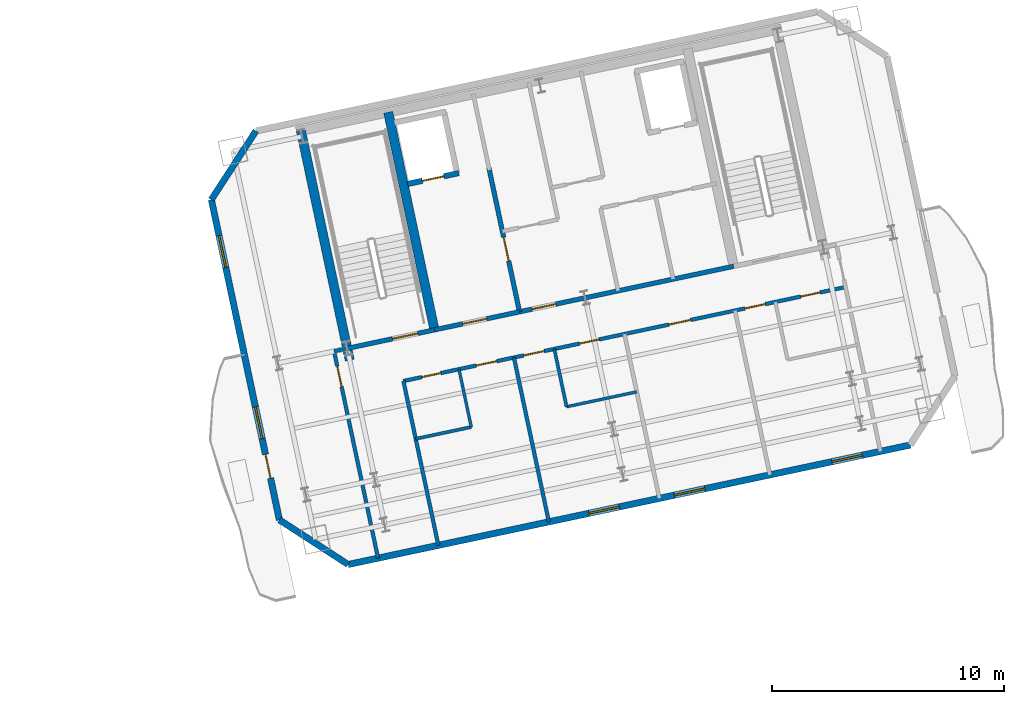
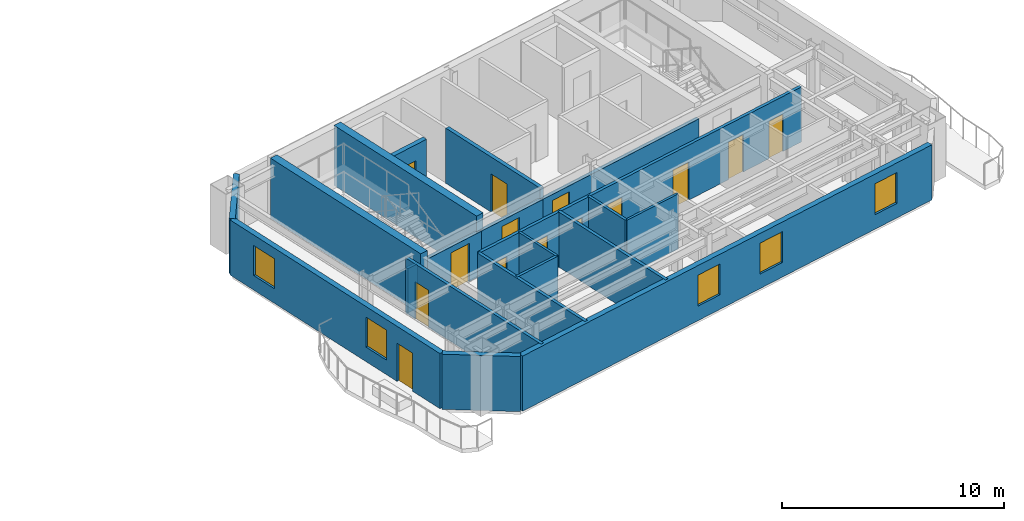
# One storey, part 8 of 14: 20 walls, 14 doors, 5 windows, 19 openings.
"""IFC4 building model written with IfcOpenShell, lengths in metres."""

import ifcopenshell
import ifcopenshell.guid

model = None  # the IFC model being written
_history = None  # IfcOwnerHistory: only IFC2X3 demands one
_inside = {}  # id of a spatial element -> (the spatial element, [elements in it])
_under = {}  # id of a project, library or spatial element -> (it, [spatial elements below it])
_declared = {}  # id of a project -> (the project, [libraries it declares])
_typed = {}  # id of a type object -> (the type object, [elements of that type])
_made_of = {}  # id of a material, layer set ... -> (it, [elements and type objects made of it])


def new_model(schema):
    """Start an empty IFC model of exactly this schema.

    Asked for "IFC4X3", IfcOpenShell would pick the latest addendum, in which some entities
    have other attributes; the version numbers below select the first issue.
    IFC2X3 requires an IfcOwnerHistory on every rooted entity: one is made here for all.
    """
    global model, _history
    if schema == "IFC4X3":
        model = ifcopenshell.file(schema_version=(4, 3, 0, 0))
    else:
        model = ifcopenshell.file(schema=schema)
    _inside.clear()
    _under.clear()
    _declared.clear()
    _typed.clear()
    _made_of.clear()
    _history = None
    if model.schema == "IFC2X3":
        org = make("IfcOrganization", Name="unknown")
        user = make(
            "IfcPersonAndOrganization",
            ThePerson=make("IfcPerson", FamilyName="unknown"),
            TheOrganization=org,
        )
        app = make(
            "IfcApplication",
            ApplicationDeveloper=org,
            Version="unknown",
            ApplicationFullName="unknown",
            ApplicationIdentifier="unknown",
        )
        _history = make(
            "IfcOwnerHistory",
            OwningUser=user,
            OwningApplication=app,
            ChangeAction="ADDED",
            CreationDate=0,
        )
    return model


def make(cls, **values):
    """One entity of the class cls with the attributes given. An attribute that is None is left unset."""
    return model.create_entity(
        cls, **{name: value for name, value in values.items() if value is not None}
    )


def rooted(cls, **values):
    """An entity with a GlobalId (a new one), such as an element, a storey or a relation."""
    return make(cls, GlobalId=ifcopenshell.guid.new(), OwnerHistory=_history, **values)


def si_unit(unit_type, name, prefix=None):
    """IfcSIUnit, for example si_unit("LENGTHUNIT", "METRE", prefix="MILLI")."""
    return make("IfcSIUnit", UnitType=unit_type, Prefix=prefix, Name=name)


def assignment(units):
    """IfcUnitAssignment: the units of a project."""
    return None if units is None else make("IfcUnitAssignment", Units=units)


def point(xyz):
    """IfcCartesianPoint."""
    return None if xyz is None else make("IfcCartesianPoint", Coordinates=xyz)


def direction(xyz):
    """IfcDirection."""
    return None if xyz is None else make("IfcDirection", DirectionRatios=xyz)


def frame(location, z_axis=None, x_axis=None):
    """IfcAxis2Placement3D, a coordinate frame: its origin and axes. An axis left out is left unset."""
    return make(
        "IfcAxis2Placement3D",
        Location=point(location),
        Axis=direction(z_axis),
        RefDirection=direction(x_axis),
    )


def frame_2d(location, x_axis=None):
    """IfcAxis2Placement2D, a coordinate frame in the plane: its origin and x axis."""
    return make(
        "IfcAxis2Placement2D", Location=point(location), RefDirection=direction(x_axis)
    )


def origin():
    """The frame at (0, 0, 0) with its axes left unset."""
    return frame((0.0, 0.0, 0.0))


def place(relative_to, where):
    """IfcLocalPlacement: puts the frame where relative to a parent placement (None: the world)."""
    return make(
        "IfcLocalPlacement", PlacementRelTo=relative_to, RelativePlacement=where
    )


def context(
    kind, dimensions, precision=None, world=None, true_north=None, identifier=None
):
    """IfcGeometricRepresentationContext, for example the 3D "Model" context."""
    return make(
        "IfcGeometricRepresentationContext",
        ContextIdentifier=identifier,
        ContextType=kind,
        CoordinateSpaceDimension=dimensions,
        Precision=precision,
        WorldCoordinateSystem=world,
        TrueNorth=true_north,
    )


def subcontext(parent, identifier, kind, view, scale=None):
    """IfcGeometricRepresentationSubContext, for example "Body" below "Model"."""
    return make(
        "IfcGeometricRepresentationSubContext",
        ContextIdentifier=identifier,
        ContextType=kind,
        ParentContext=parent,
        TargetScale=scale,
        TargetView=view,
    )


def project(units=None, contexts=None):
    """IfcProject with its units and contexts."""
    return rooted(
        "IfcProject",
        Name="project",
        RepresentationContexts=contexts,
        UnitsInContext=assignment(units),
    )


def spatial(cls, under=None, at=None, **own):
    """A site, building, storey or space (cls), placed at a placement, below another one or the project."""
    s = rooted(cls, ObjectPlacement=at, **own)
    if under is not None:
        _under.setdefault(under.id(), (under, []))[1].append(s)
    return s


def profile(cls, at=None, kind="AREA", **sizes):
    """A parametric profile (cls). Its sizes go by their IFC names, for example OverallWidth=200.0."""
    return make(cls, ProfileType=kind, Position=at, **sizes)


def rectangle(**sizes):
    """IfcRectangleProfileDef."""
    return profile("IfcRectangleProfileDef", **sizes)


def extrude(swept, where, along, depth):
    """IfcExtrudedAreaSolid: the profile swept, set in the frame where, extruded along a direction by depth."""
    return make(
        "IfcExtrudedAreaSolid",
        SweptArea=swept,
        Position=where,
        ExtrudedDirection=direction(along),
        Depth=depth,
    )


def shape(context_of_items, identifier, shape_type, items):
    """IfcShapeRepresentation: the items that make up one representation, for example the "Body"."""
    return make(
        "IfcShapeRepresentation",
        ContextOfItems=context_of_items,
        RepresentationIdentifier=identifier,
        RepresentationType=shape_type,
        Items=items,
    )


def material(Name=None, Category=None):
    """IfcMaterial."""
    return make("IfcMaterial", Name=Name, Category=Category)


def layer(
    of_material, thickness, ventilated=None, Name=None, Category=None, Priority=None
):
    """IfcMaterialLayer: one layer of a wall or slab, of a material (None: an air gap)."""
    return make(
        "IfcMaterialLayer",
        Material=of_material,
        LayerThickness=thickness,
        IsVentilated=ventilated,
        Name=Name,
        Category=Category,
        Priority=Priority,
    )


def layer_set(layers, Name=None):
    """IfcMaterialLayerSet."""
    return make("IfcMaterialLayerSet", MaterialLayers=layers, LayerSetName=Name)


def made_of(thing, what):
    """Note that an element or type object is made of a material, layer set ...; save() writes the relation."""
    if what is not None:
        _made_of.setdefault(what.id(), (what, []))[1].append(thing)
    return thing


def type_object(cls, material=None, **own):
    """A type object (cls), such as IfcWallType, which elements share."""
    return made_of(rooted(cls, **own), material)


def element(
    cls,
    number,
    at=None,
    inside=None,
    cuts=None,
    type_object=None,
    material=None,
    context=None,
    identifier="Body",
    shape_type=None,
    held_by="IfcProductDefinitionShape",
    body=None,
    shapes=None,
    **own,
):
    """One element of the class cls, such as IfcWall. Its Tag is "e" and its number.

    at: its placement. inside: the storey or other place that contains it. cuts: it is an
    opening in that element (IfcRelVoidsElement). A single representation is given by context,
    identifier, shape_type and body (its items); several are given by shapes. held_by: the class
    of the entity that holds the representations. save() writes the other relations.
    """
    e = rooted(cls, Tag="e%d" % number, ObjectPlacement=at, **own)
    if body is not None:
        shapes = [shape(context, identifier, shape_type, body)]
    if shapes is not None:
        e.Representation = make(held_by, Representations=shapes)
    if inside is not None:
        _inside.setdefault(inside.id(), (inside, []))[1].append(e)
    if cuts is not None:
        rooted(
            "IfcRelVoidsElement", RelatingBuildingElement=cuts, RelatedOpeningElement=e
        )
    if type_object is not None:
        _typed.setdefault(type_object.id(), (type_object, []))[1].append(e)
    return made_of(e, material)


def fill(opening, filler):
    """IfcRelFillsElement: the door or window that sits in an opening."""
    return rooted(
        "IfcRelFillsElement",
        RelatingOpeningElement=opening,
        RelatedBuildingElement=filler,
    )


def aggregate(whole, parts):
    """IfcRelAggregates: a whole, such as a stair, and the parts it consists of."""
    return rooted("IfcRelAggregates", RelatingObject=whole, RelatedObjects=parts)


def save(model, path):
    """Write the relations noted so far, then the file.

    IfcRelAggregates (storeys below a building ...), IfcRelContainedInSpatialStructure (elements
    in a storey), IfcRelDefinesByType, IfcRelAssociatesMaterial and IfcRelDeclares: one each for
    every whole, place, type object, material and project.
    """
    for whole, parts in _under.values():
        aggregate(whole, parts)
    for where, things in _inside.values():
        rooted(
            "IfcRelContainedInSpatialStructure",
            RelatedElements=things,
            RelatingStructure=where,
        )
    for kind, things in _typed.values():
        rooted("IfcRelDefinesByType", RelatedObjects=things, RelatingType=kind)
    for what, things in _made_of.values():
        rooted("IfcRelAssociatesMaterial", RelatedObjects=things, RelatingMaterial=what)
    for by, libraries in _declared.values():
        rooted("IfcRelDeclares", RelatingContext=by, RelatedDefinitions=libraries)
    model.write(path)


model = new_model("IFC4")

# Units and contexts
model_context = context("Model", 3, precision=1e-05, world=origin(), true_north=direction((0.0, 1.0)))
body_context = subcontext(model_context, "Body", "Model", "MODEL_VIEW")
ifc_project = project(units=[si_unit("LENGTHUNIT", "METRE"), si_unit("AREAUNIT", "SQUARE_METRE"), si_unit("VOLUMEUNIT", "CUBIC_METRE"), si_unit("PLANEANGLEUNIT", "RADIAN"), si_unit("MASSUNIT", "GRAM", prefix="KILO")], contexts=[model_context])

# Site, building, storey
site_placement = place(None, origin())
site = spatial("IfcSite", under=ifc_project, at=site_placement, CompositionType="ELEMENT")
building_placement = place(site_placement, origin())
building = spatial("IfcBuilding", under=site, at=building_placement, Name="Haevon Station Towers", CompositionType="ELEMENT")
storey_placement = place(building_placement, frame((0.0, 0.0, 212.10009765625)))
storey = spatial("IfcBuildingStorey", under=building, at=storey_placement, Name="L58", CompositionType="ELEMENT", Elevation=212.10009765625)

# Wall, opening, door
ifc_material_1 = material(Name="Gypsum board on steel stud", Category="steel")
ifc_layer_1 = layer(ifc_material_1, 0.199951171875)
ifc_layer_set_1 = layer_set([ifc_layer_1], Name="Gypsum board on steel stud")
wall_type_1 = type_object("IfcWallType", Name="WL-COR200", PredefinedType="PARTITIONING", material=ifc_layer_set_1)
wall_1_placement = place(storey_placement, frame((98.75244140625, 37.4423828125, 0.0), z_axis=(0.0, 0.0, 1.0), x_axis=(0.978143537786, 0.207930804564, 0.0)))
wall_1 = element("IfcWall", 1, at=wall_1_placement, inside=storey, type_object=wall_type_1, Name="WL-ST-ST3-L58", PredefinedType="PARTITIONING", context=body_context, shape_type="SweptSolid", body=[
    extrude(rectangle(XDim=3.85009765625, YDim=0.199951171875, at=frame_2d((1.925048828125, 0.0))), origin(), (0.0, 0.0, 1.0), 2.429931640625),
])
opening_1_placement = place(wall_1_placement, frame((2.0, 0.0, 0.0)))
opening_1 = element("IfcOpeningElement", 2, at=opening_1_placement, cuts=wall_1, Name="Opening DR-ST-ST3-L58", PredefinedType="OPENING", context=body_context, shape_type="SweptSolid", body=[
    extrude(rectangle(XDim=1.1201171875, YDim=2.10009765625, at=frame_2d((0.56005859375, 1.050048828125))), frame((0.0, 0.10986328125, 0.0), z_axis=(0.0, -1.0, 0.0), x_axis=(1.0, 0.0, 0.0)), (0.0, 0.0, 1.0), 0.219970703125),
])
ifc_material_2 = material(Name="Engineered oak timber", Category="wood")
door_type_1 = type_object("IfcDoorType", Name="DR-ST-1120", OperationType="NOTDEFINED", PredefinedType="DOOR", material=ifc_material_2)
door_1_placement = place(opening_1_placement, origin())
door_1 = element("IfcDoor", 3, at=door_1_placement, inside=storey, type_object=door_type_1, Name="L58 Escape Stair ST3 Fire Door", OperationType="SINGLE_SWING_RIGHT", OverallHeight=2.10009765625, OverallWidth=1.1201171875, PredefinedType="DOOR", context=body_context, shape_type="SweptSolid", body=[
    extrude(rectangle(XDim=1.1201171875, YDim=2.10009765625, at=frame_2d((0.56005859375, 1.050048828125))), frame((0.0, 0.02490234375, 0.0), z_axis=(0.0, -1.0, 0.0), x_axis=(1.0, 0.0, 0.0)), (0.0, 0.0, 1.0), 0.050048828125),
])
fill(opening_1, door_1)

wall_2_placement = place(storey_placement, frame((106.186279296875, 39.0224609375, 0.0), z_axis=(0.0, 0.0, 1.0), x_axis=(-0.207916691923, 0.978146537703, 0.0)))
wall_2 = element("IfcWall", 4, at=wall_2_placement, inside=storey, type_object=wall_type_1, Name="WL-T2FFL-L58-E", PredefinedType="PARTITIONING", context=body_context, shape_type="SweptSolid", body=[
    extrude(rectangle(XDim=6.35009765625, YDim=0.199951171875, at=frame_2d((3.175048828125, 0.0))), origin(), (0.0, 0.0, 1.0), 3.02978515625),
])
opening_2_placement = place(wall_2_placement, frame((2.239990234375, 0.0, 0.0)))
opening_2 = element("IfcOpeningElement", 5, at=opening_2_placement, cuts=wall_2, Name="Opening DR-T2FFL-L58-E", PredefinedType="OPENING", context=body_context, shape_type="SweptSolid", body=[
    extrude(rectangle(XDim=1.050048828125, YDim=2.10009765625, at=frame_2d((0.52490234375, 1.050048828125))), frame((0.0, 0.10986328125, 0.0), z_axis=(0.0, -1.0, 0.0), x_axis=(1.0, 0.0, 0.0)), (0.0, 0.0, 1.0), 0.219970703125),
])
door_type_2 = type_object("IfcDoorType", Name="DR-FD60-1050", OperationType="NOTDEFINED", PredefinedType="DOOR", material=ifc_material_2)
door_2_placement = place(opening_2_placement, origin())
door_2 = element("IfcDoor", 6, at=door_2_placement, inside=storey, type_object=door_type_2, Name="L58 Tower 2 Firefighting Lift Lobby Door E", OperationType="SINGLE_SWING_RIGHT", OverallHeight=2.10009765625, OverallWidth=1.050048828125, PredefinedType="DOOR", context=body_context, shape_type="SweptSolid", body=[
    extrude(rectangle(XDim=1.050048828125, YDim=2.10009765625, at=frame_2d((0.52490234375, 1.050048828125))), frame((0.0, 0.02490234375, 0.0), z_axis=(0.0, -1.0, 0.0), x_axis=(1.0, 0.0, 0.0)), (0.0, 0.0, 1.0), 0.050048828125),
])
fill(opening_2, door_2)

wall_3_placement = place(storey_placement, frame((102.518310546875, 38.242919921875, 0.0), z_axis=(0.0, 0.0, 1.0), x_axis=(0.978153555683, 0.20788367301, 0.0)))
wall_3 = element("IfcWall", 7, at=wall_3_placement, inside=storey, type_object=wall_type_1, Name="WL-T2FFL-L58-S", PredefinedType="PARTITIONING", context=body_context, shape_type="SweptSolid", body=[
    extrude(rectangle(XDim=3.75, YDim=0.199951171875, at=frame_2d((1.875, 0.0))), origin(), (0.0, 0.0, 1.0), 2.429931640625),
])
opening_3_placement = place(wall_3_placement, frame((1.25, 0.0, 0.0)))
opening_3 = element("IfcOpeningElement", 8, at=opening_3_placement, cuts=wall_3, Name="Opening DR-T2FFL-L58-S", PredefinedType="OPENING", context=body_context, shape_type="SweptSolid", body=[
    extrude(rectangle(XDim=1.050048828125, YDim=2.10009765625, at=frame_2d((0.52490234375, 1.050048828125))), frame((0.0, 0.10986328125, 0.0), z_axis=(0.0, -1.0, 0.0), x_axis=(1.0, 0.0, 0.0)), (0.0, 0.0, 1.0), 0.219970703125),
])
door_3_placement = place(opening_3_placement, origin())
door_3 = element("IfcDoor", 9, at=door_3_placement, inside=storey, type_object=door_type_2, Name="L58 Tower 2 Firefighting Lift Lobby Door S", OperationType="SINGLE_SWING_LEFT", OverallHeight=2.10009765625, OverallWidth=1.050048828125, PredefinedType="DOOR", context=body_context, shape_type="SweptSolid", body=[
    extrude(rectangle(XDim=1.050048828125, YDim=2.10009765625, at=frame_2d((0.52490234375, 1.050048828125))), frame((0.0, 0.02490234375, 0.0), z_axis=(0.0, -1.0, 0.0), x_axis=(1.0, 0.0, 0.0)), (0.0, 0.0, 1.0), 0.050048828125),
])
fill(opening_3, door_3)

wall_4_placement = place(storey_placement, frame((106.186279296875, 39.0224609375, 0.0), z_axis=(0.0, 0.0, 1.0), x_axis=(0.978145519981, 0.20792147975, 0.0)))
wall_4 = element("IfcWall", 10, at=wall_4_placement, inside=storey, type_object=wall_type_1, Name="WL-T2CLB-L58", PredefinedType="PARTITIONING", context=body_context, shape_type="SweptSolid", body=[
    extrude(rectangle(XDim=9.449951171875, YDim=0.199951171875, at=frame_2d((4.72509765625, 0.0))), origin(), (0.0, 0.0, 1.0), 2.429931640625),
])
opening_4_placement = place(wall_4_placement, frame((0.550048828125, 0.0, 0.0)))
opening_4 = element("IfcOpeningElement", 11, at=opening_4_placement, cuts=wall_4, Name="Opening DR-T2CLB-L58-1", PredefinedType="OPENING", context=body_context, shape_type="SweptSolid", body=[
    extrude(rectangle(XDim=1.050048828125, YDim=2.10009765625, at=frame_2d((0.52490234375, 1.050048828125))), frame((0.0, 0.10986328125, 0.0), z_axis=(0.0, -1.0, 0.0), x_axis=(1.0, 0.0, 0.0)), (0.0, 0.0, 1.0), 0.219970703125),
])
door_4_placement = place(opening_4_placement, origin())
door_4 = element("IfcDoor", 12, at=door_4_placement, inside=storey, type_object=door_type_2, Name="L58 Tower 2 Core Lift Lobby Door 1", OperationType="SINGLE_SWING_RIGHT", OverallHeight=2.10009765625, OverallWidth=1.050048828125, PredefinedType="DOOR", context=body_context, shape_type="SweptSolid", body=[
    extrude(rectangle(XDim=1.050048828125, YDim=2.10009765625, at=frame_2d((0.52490234375, 1.050048828125))), frame((0.0, 0.02490234375, 0.0), z_axis=(0.0, -1.0, 0.0), x_axis=(1.0, 0.0, 0.0)), (0.0, 0.0, 1.0), 0.050048828125),
])
fill(opening_4, door_4)

# Walls
ifc_material_3 = material(Name="Concrete C60/75", Category="concrete")
ifc_layer_2 = layer(ifc_material_3, 0.39990234375)
ifc_layer_set_2 = layer_set([ifc_layer_2], Name="Concrete C60/75")
wall_type_2 = type_object("IfcWallType", Name="WL-CR400", PredefinedType="SHEAR", material=ifc_layer_set_2)
wall_5_placement = place(storey_placement, frame((98.8603515625, 36.933837890625, 0.0), z_axis=(0.0, 0.0, 1.0), x_axis=(-0.20790924889, 0.978148119778, 0.0)))
element("IfcWall", 13, at=wall_5_placement, inside=storey, type_object=wall_type_2, Name="WL-T2CR-L58-W", PredefinedType="SHEAR", context=body_context, shape_type="SweptSolid", body=[
    extrude(rectangle(XDim=10.119873046875, YDim=0.39990234375, at=frame_2d((5.06005859375, 0.0))), origin(), (0.0, 0.0, 1.0), 3.2998046875),
])
wall_6_placement = place(storey_placement, frame((102.518310546875, 38.242919921875, 0.0), z_axis=(0.0, 0.0, 1.0), x_axis=(-0.207927495108, 0.978144241295, 0.0)))
element("IfcWall", 14, at=wall_6_placement, inside=storey, type_object=wall_type_2, Name="WL-T2CR-L58-M1", PredefinedType="SHEAR", context=body_context, shape_type="SweptSolid", body=[
    extrude(rectangle(XDim=9.599853515625, YDim=0.39990234375, at=frame_2d((4.7998046875, 0.0))), origin(), (0.0, 0.0, 1.0), 3.2998046875),
])

# Wall, openings, windows
ifc_material_4 = material(Name="Precast concrete C45/55", Category="concrete")
ifc_layer_3 = layer(ifc_material_4, 0.280029296875)
ifc_layer_set_3 = layer_set([ifc_layer_3], Name="Precast concrete C45/55")
wall_type_3 = type_object("IfcWallType", Name="WL-EXT-PIER280", PredefinedType="SOLIDWALL", material=ifc_layer_set_3)
wall_7_placement = place(storey_placement, frame((123.050048828125, 33.273193359375, 0.0), z_axis=(0.0, 0.0, 1.0), x_axis=(-0.97814726544, -0.207913268245, 0.0)))
wall_7 = element("IfcWall", 15, at=wall_7_placement, inside=storey, type_object=wall_type_3, Name="WL-T2-L58-S", PredefinedType="SOLIDWALL", context=body_context, shape_type="SweptSolid", body=[
    extrude(rectangle(XDim=24.800048828125, YDim=0.280029296875, at=frame_2d((12.39990234375, 0.0))), origin(), (0.0, 0.0, 1.0), 3.02978515625),
])
opening_5_placement = place(wall_7_placement, frame((12.83251953125, 0.0, 0.800048828125)))
opening_5 = element("IfcOpeningElement", 16, at=opening_5_placement, cuts=wall_7, Name="Opening WN-P135", PredefinedType="OPENING", context=body_context, shape_type="SweptSolid", body=[
    extrude(rectangle(XDim=1.35009765625, YDim=1.699951171875, at=frame_2d((0.675048828125, 0.85009765625))), frame((0.0, 0.14990234375, 0.0), z_axis=(0.0, -1.0, 0.0), x_axis=(1.0, 0.0, 0.0)), (0.0, 0.0, 1.0), 0.300048828125),
])
opening_6_placement = place(wall_7_placement, frame((9.0634765625, 0.0, 0.800048828125)))
opening_6 = element("IfcOpeningElement", 17, at=opening_6_placement, cuts=wall_7, Name="Opening WN-P135", PredefinedType="OPENING", context=body_context, shape_type="SweptSolid", body=[
    extrude(rectangle(XDim=1.35009765625, YDim=1.699951171875, at=frame_2d((0.675048828125, 0.85009765625))), frame((0.0, 0.14990234375, 0.0), z_axis=(0.0, -1.0, 0.0), x_axis=(1.0, 0.0, 0.0)), (0.0, 0.0, 1.0), 0.300048828125),
])
opening_7_placement = place(wall_7_placement, frame((2.11474609375, 0.0, 0.800048828125)))
opening_7 = element("IfcOpeningElement", 18, at=opening_7_placement, cuts=wall_7, Name="Opening WN-P135", PredefinedType="OPENING", context=body_context, shape_type="SweptSolid", body=[
    extrude(rectangle(XDim=1.35009765625, YDim=1.699951171875, at=frame_2d((0.675048828125, 0.85009765625))), frame((0.0, 0.14990234375, 0.0), z_axis=(0.0, -1.0, 0.0), x_axis=(1.0, 0.0, 0.0)), (0.0, 0.0, 1.0), 0.300048828125),
])
ifc_material_5 = material(Name="Low-E triple glazing in thermally broken aluminium", Category="aluminium")
window_type_1 = type_object("IfcWindowType", Name="WN-P135", PartitioningType="SINGLE_PANEL", PredefinedType="WINDOW", material=ifc_material_5)
window_1_placement = place(opening_5_placement, origin())
window_1 = element("IfcWindow", 19, at=window_1_placement, inside=storey, type_object=window_type_1, Name="WN-T2-L58-S01", OverallHeight=1.699951171875, OverallWidth=1.35009765625, PartitioningType="SINGLE_PANEL", PredefinedType="WINDOW", context=body_context, shape_type="SweptSolid", body=[
    extrude(rectangle(XDim=1.35009765625, YDim=1.699951171875, at=frame_2d((0.675048828125, 0.85009765625))), frame((0.0, 0.030029296875, 0.0), z_axis=(0.0, -1.0, 0.0), x_axis=(1.0, 0.0, 0.0)), (0.0, 0.0, 1.0), 0.06005859375),
])
fill(opening_5, window_1)
window_2_placement = place(opening_6_placement, origin())
window_2 = element("IfcWindow", 20, at=window_2_placement, inside=storey, type_object=window_type_1, Name="WN-T2-L58-S02", OverallHeight=1.699951171875, OverallWidth=1.35009765625, PartitioningType="SINGLE_PANEL", PredefinedType="WINDOW", context=body_context, shape_type="SweptSolid", body=[
    extrude(rectangle(XDim=1.35009765625, YDim=1.699951171875, at=frame_2d((0.675048828125, 0.85009765625))), frame((0.0, 0.030029296875, 0.0), z_axis=(0.0, -1.0, 0.0), x_axis=(1.0, 0.0, 0.0)), (0.0, 0.0, 1.0), 0.06005859375),
])
fill(opening_6, window_2)
window_3_placement = place(opening_7_placement, origin())
window_3 = element("IfcWindow", 21, at=window_3_placement, inside=storey, type_object=window_type_1, Name="WN-T2-L58-S03", OverallHeight=1.699951171875, OverallWidth=1.35009765625, PartitioningType="SINGLE_PANEL", PredefinedType="WINDOW", context=body_context, shape_type="SweptSolid", body=[
    extrude(rectangle(XDim=1.35009765625, YDim=1.699951171875, at=frame_2d((0.675048828125, 0.85009765625))), frame((0.0, 0.030029296875, 0.0), z_axis=(0.0, -1.0, 0.0), x_axis=(1.0, 0.0, 0.0)), (0.0, 0.0, 1.0), 0.06005859375),
])
fill(opening_7, window_3)

# Wall
wall_8_placement = place(storey_placement, frame((98.7919921875, 28.116943359375, 0.0), z_axis=(0.0, 0.0, 1.0), x_axis=(-0.838672309694, 0.544636352948, 0.0)))
element("IfcWall", 22, at=wall_8_placement, inside=storey, type_object=wall_type_3, Name="WL-T2-L58-SWC", PredefinedType="SOLIDWALL", context=body_context, shape_type="SweptSolid", body=[
    extrude(rectangle(XDim=3.535400390625, YDim=0.280029296875, at=frame_2d((1.767578125, 0.0))), origin(), (0.0, 0.0, 1.0), 3.02978515625),
])

# Wall, openings, door, windows
wall_9_placement = place(storey_placement, frame((95.826904296875, 30.04248046875, 0.0), z_axis=(0.0, 0.0, 1.0), x_axis=(-0.207907523802, 0.978148486451, 0.0)))
wall_9 = element("IfcWall", 23, at=wall_9_placement, inside=storey, type_object=wall_type_3, Name="WL-T2-L58-W", PredefinedType="SOLIDWALL", context=body_context, shape_type="SweptSolid", body=[
    extrude(rectangle(XDim=14.130126953125, YDim=0.280029296875, at=frame_2d((7.06494140625, 0.0))), origin(), (0.0, 0.0, 1.0), 3.02978515625),
])
opening_8_placement = place(wall_9_placement, frame((1.840087890625, 0.0, 0.0)))
opening_8 = element("IfcOpeningElement", 24, at=opening_8_placement, cuts=wall_9, Name="Opening DR-T2-SCAL-L58-W", PredefinedType="OPENING", context=body_context, shape_type="SweptSolid", body=[
    extrude(rectangle(XDim=1.050048828125, YDim=2.10009765625, at=frame_2d((0.52490234375, 1.050048828125))), frame((0.0, 0.14990234375, 0.0), z_axis=(0.0, -1.0, 0.0), x_axis=(1.0, 0.0, 0.0)), (0.0, 0.0, 1.0), 0.300048828125),
])
opening_9_placement = place(wall_9_placement, frame((3.58251953125, 0.0, 0.800048828125)))
opening_9 = element("IfcOpeningElement", 25, at=opening_9_placement, cuts=wall_9, Name="Opening WN-END140", PredefinedType="OPENING", context=body_context, shape_type="SweptSolid", body=[
    extrude(rectangle(XDim=1.39990234375, YDim=1.64990234375, at=frame_2d((0.699951171875, 0.824951171875))), frame((0.0, 0.14990234375, 0.0), z_axis=(0.0, -1.0, 0.0), x_axis=(1.0, 0.0, 0.0)), (0.0, 0.0, 1.0), 0.300048828125),
])
opening_10_placement = place(wall_9_placement, frame((11.135009765625, 0.0, 0.800048828125)))
opening_10 = element("IfcOpeningElement", 26, at=opening_10_placement, cuts=wall_9, Name="Opening WN-END140", PredefinedType="OPENING", context=body_context, shape_type="SweptSolid", body=[
    extrude(rectangle(XDim=1.39990234375, YDim=1.64990234375, at=frame_2d((0.699951171875, 0.824951171875))), frame((0.0, 0.14990234375, 0.0), z_axis=(0.0, -1.0, 0.0), x_axis=(1.0, 0.0, 0.0)), (0.0, 0.0, 1.0), 0.300048828125),
])
ifc_material_6 = material(Name="Thermally broken anodised aluminium and laminated safety glass", Category="aluminium")
door_type_3 = type_object("IfcDoorType", Name="DR-BALC-1050", OperationType="NOTDEFINED", PredefinedType="DOOR", material=ifc_material_6)
door_5_placement = place(opening_8_placement, origin())
door_5 = element("IfcDoor", 27, at=door_5_placement, inside=storey, type_object=door_type_3, Name="Tower 2 L58 West Scalloped Balcony Door", OperationType="SINGLE_SWING_RIGHT", OverallHeight=2.10009765625, OverallWidth=1.050048828125, PredefinedType="DOOR", context=body_context, shape_type="SweptSolid", body=[
    extrude(rectangle(XDim=1.050048828125, YDim=2.10009765625, at=frame_2d((0.52490234375, 1.050048828125))), frame((0.0, 0.02490234375, 0.0), z_axis=(0.0, -1.0, 0.0), x_axis=(1.0, 0.0, 0.0)), (0.0, 0.0, 1.0), 0.050048828125),
])
fill(opening_8, door_5)
window_type_2 = type_object("IfcWindowType", Name="WN-END140", PartitioningType="SINGLE_PANEL", PredefinedType="WINDOW", material=ifc_material_5)
window_4_placement = place(opening_9_placement, origin())
window_4 = element("IfcWindow", 28, at=window_4_placement, inside=storey, type_object=window_type_2, Name="WN-T2-L58-W01", OverallHeight=1.64990234375, OverallWidth=1.39990234375, PartitioningType="SINGLE_PANEL", PredefinedType="WINDOW", context=body_context, shape_type="SweptSolid", body=[
    extrude(rectangle(XDim=1.39990234375, YDim=1.64990234375, at=frame_2d((0.699951171875, 0.824951171875))), frame((0.0, 0.030029296875, 0.0), z_axis=(0.0, -1.0, 0.0), x_axis=(1.0, 0.0, 0.0)), (0.0, 0.0, 1.0), 0.06005859375),
])
fill(opening_9, window_4)
window_5_placement = place(opening_10_placement, origin())
window_5 = element("IfcWindow", 29, at=window_5_placement, inside=storey, type_object=window_type_2, Name="WN-T2-L58-W02", OverallHeight=1.64990234375, OverallWidth=1.39990234375, PartitioningType="SINGLE_PANEL", PredefinedType="WINDOW", context=body_context, shape_type="SweptSolid", body=[
    extrude(rectangle(XDim=1.39990234375, YDim=1.64990234375, at=frame_2d((0.699951171875, 0.824951171875))), frame((0.0, 0.030029296875, 0.0), z_axis=(0.0, -1.0, 0.0), x_axis=(1.0, 0.0, 0.0)), (0.0, 0.0, 1.0), 0.06005859375),
])
fill(opening_10, window_5)

# Walls
wall_10_placement = place(storey_placement, frame((92.88916015625, 43.86376953125, 0.0), z_axis=(0.0, 0.0, 1.0), x_axis=(0.544636352948, 0.838672309694, 0.0)))
element("IfcWall", 30, at=wall_10_placement, inside=storey, type_object=wall_type_3, Name="WL-T2-L58-NWC", PredefinedType="SOLIDWALL", context=body_context, shape_type="SweptSolid", body=[
    extrude(rectangle(XDim=3.535400390625, YDim=0.280029296875, at=frame_2d((1.767578125, 0.0))), origin(), (0.0, 0.0, 1.0), 3.02978515625),
])
ifc_layer_4 = layer(ifc_material_1, 0.125)
ifc_layer_set_4 = layer_set([ifc_layer_4], Name="Gypsum board on steel stud")
wall_type_4 = type_object("IfcWallType", Name="WL-PRT125", PredefinedType="PARTITIONING", material=ifc_layer_set_4)
wall_11_placement = place(storey_placement, frame((104.1044921875, 34.051025390625, 0.0), z_axis=(0.0, 0.0, 1.0), x_axis=(-0.207940050407, 0.978141572287, 0.0)))
element("IfcWall", 31, at=wall_11_placement, inside=storey, type_object=wall_type_4, Name="WL-T2PT-L58-07", PredefinedType="PARTITIONING", context=body_context, shape_type="SweptSolid", body=[
    extrude(rectangle(XDim=2.550048828125, YDim=0.125, at=frame_2d((1.27490234375, 0.0))), origin(), (0.0, 0.0, 1.0), 3.02978515625),
])
wall_12_placement = place(storey_placement, frame((108.217529296875, 34.92529296875, 0.0), z_axis=(0.0, 0.0, 1.0), x_axis=(0.978142809708, 0.207934229547, 0.0)))
element("IfcWall", 32, at=wall_12_placement, inside=storey, type_object=wall_type_4, Name="WL-T2PT-L58-09", PredefinedType="PARTITIONING", context=body_context, shape_type="SweptSolid", body=[
    extrude(rectangle(XDim=3.094970703125, YDim=0.125, at=frame_2d((1.54736328125, 0.0))), origin(), (0.0, 0.0, 1.0), 3.02978515625),
])
ifc_layer_5 = layer(ifc_material_1, 0.139892578125)
ifc_layer_set_5 = layer_set([ifc_layer_5], Name="Gypsum board on steel stud")
wall_type_5 = type_object("IfcWallType", Name="WL-PRT140", PredefinedType="PARTITIONING", material=ifc_layer_set_5)
wall_13_placement = place(storey_placement, frame((101.7080078125, 33.541748046875, 0.0), z_axis=(0.0, 0.0, 1.0), x_axis=(0.978156824814, 0.207868290196, 0.0)))
element("IfcWall", 33, at=wall_13_placement, inside=storey, type_object=wall_type_5, Name="WL-T2PT-L58-06", PredefinedType="PARTITIONING", context=body_context, shape_type="SweptSolid", body=[
    extrude(rectangle(XDim=2.449951171875, YDim=0.139892578125, at=frame_2d((1.22509765625, 0.0))), origin(), (0.0, 0.0, 1.0), 3.02978515625),
])
wall_14_placement = place(storey_placement, frame((108.217529296875, 34.92529296875, 0.0), z_axis=(0.0, 0.0, 1.0), x_axis=(-0.207940050407, 0.978141572287, 0.0)))
element("IfcWall", 34, at=wall_14_placement, inside=storey, type_object=wall_type_5, Name="WL-T2PT-L58-10", PredefinedType="PARTITIONING", context=body_context, shape_type="SweptSolid", body=[
    extrude(rectangle(XDim=2.550048828125, YDim=0.139892578125, at=frame_2d((1.27490234375, 0.0))), origin(), (0.0, 0.0, 1.0), 3.02978515625),
])
ifc_layer_6 = layer(ifc_material_1, 0.159912109375)
ifc_layer_set_6 = layer_set([ifc_layer_6], Name="Gypsum board on steel stud")
wall_type_6 = type_object("IfcWallType", Name="WL-PRT160", PredefinedType="PARTITIONING", material=ifc_layer_set_6)
wall_15_placement = place(storey_placement, frame((102.68505859375, 28.9443359375, 0.0), z_axis=(0.0, 0.0, 1.0), x_axis=(-0.207907487947, 0.978148494072, 0.0)))
element("IfcWall", 35, at=wall_15_placement, inside=storey, type_object=wall_type_6, Name="WL-T2PT-L58-01", PredefinedType="PARTITIONING", context=body_context, shape_type="SweptSolid", body=[
    extrude(rectangle(XDim=7.25, YDim=0.159912109375, at=frame_2d((3.625, 0.0))), origin(), (0.0, 0.0, 1.0), 3.02978515625),
])
wall_16_placement = place(storey_placement, frame((98.18505859375, 37.32177734375, 0.0), z_axis=(0.0, 0.0, 1.0), x_axis=(0.978146012851, 0.207919161079, 0.0)))
element("IfcWall", 36, at=wall_16_placement, inside=storey, type_object=wall_type_6, Name="WL-T2PT-L58-02", PredefinedType="PARTITIONING", context=body_context, shape_type="SweptSolid", body=[
    extrude(rectangle(XDim=0.580078125, YDim=0.159912109375, at=frame_2d((0.2900390625, 0.0))), origin(), (0.0, 0.0, 1.0), 2.429931640625),
])

# Wall, opening, door
wall_17_placement = place(storey_placement, frame((100.083251953125, 28.391357421875, 0.0), z_axis=(0.0, 0.0, 1.0), x_axis=(-0.207908966823, 0.978148179733, 0.0)))
wall_17 = element("IfcWall", 37, at=wall_17_placement, inside=storey, type_object=wall_type_6, Name="WL-T2PT-L58-04", PredefinedType="PARTITIONING", context=body_context, shape_type="SweptSolid", body=[
    extrude(rectangle(XDim=9.1298828125, YDim=0.159912109375, at=frame_2d((4.56494140625, 0.0))), origin(), (0.0, 0.0, 1.0), 3.02978515625),
])
opening_11_placement = place(wall_17_placement, frame((7.570068359375, 0.0, 0.0)))
opening_11 = element("IfcOpeningElement", 38, at=opening_11_placement, cuts=wall_17, Name="Opening DR-WL-T2PT-L58-04-01", PredefinedType="OPENING", context=body_context, shape_type="SweptSolid", body=[
    extrude(rectangle(XDim=0.89990234375, YDim=2.050048828125, at=frame_2d((0.449951171875, 1.02490234375))), frame((0.0, 0.08984375, 0.0), z_axis=(0.0, -1.0, 0.0), x_axis=(1.0, 0.0, 0.0)), (0.0, 0.0, 1.0), 0.179931640625),
])
door_type_4 = type_object("IfcDoorType", Name="DR-INT-900", OperationType="NOTDEFINED", PredefinedType="DOOR", material=ifc_material_2)
door_6_placement = place(opening_11_placement, origin())
door_6 = element("IfcDoor", 39, at=door_6_placement, inside=storey, type_object=door_type_4, Name="L58 Tower 2 Room Door 4-1", OperationType="SINGLE_SWING_RIGHT", OverallHeight=2.050048828125, OverallWidth=0.89990234375, PredefinedType="DOOR", context=body_context, shape_type="SweptSolid", body=[
    extrude(rectangle(XDim=0.89990234375, YDim=2.050048828125, at=frame_2d((0.449951171875, 1.02490234375))), frame((0.0, 0.02490234375, 0.0), z_axis=(0.0, -1.0, 0.0), x_axis=(1.0, 0.0, 0.0)), (0.0, 0.0, 1.0), 0.050048828125),
])
fill(opening_11, door_6)

# Wall
wall_18_placement = place(storey_placement, frame((107.45361328125, 29.9580078125, 0.0), z_axis=(0.0, 0.0, 1.0), x_axis=(-0.207907487947, 0.978148494072, 0.0)))
element("IfcWall", 40, at=wall_18_placement, inside=storey, type_object=wall_type_6, Name="WL-T2PT-L58-08", PredefinedType="PARTITIONING", context=body_context, shape_type="SweptSolid", body=[
    extrude(rectangle(XDim=7.25, YDim=0.159912109375, at=frame_2d((3.625, 0.0))), origin(), (0.0, 0.0, 1.0), 3.02978515625),
])

# Wall, openings, doors
wall_19_placement = place(storey_placement, frame((101.177734375, 36.035888671875, 0.0), z_axis=(0.0, 0.0, 1.0), x_axis=(0.978146089545, 0.207918800275, 0.0)))
wall_19 = element("IfcWall", 41, at=wall_19_placement, inside=storey, type_object=wall_type_6, Name="WL-T2PT-L58-15", PredefinedType="PARTITIONING", context=body_context, shape_type="SweptSolid", body=[
    extrude(rectangle(XDim=19.500244140625, YDim=0.159912109375, at=frame_2d((9.75, 0.0))), origin(), (0.0, 0.0, 1.0), 3.02978515625),
])
opening_12_placement = place(wall_19_placement, frame((0.800048828125, 0.0, 0.0)))
opening_12 = element("IfcOpeningElement", 42, at=opening_12_placement, cuts=wall_19, Name="Opening DR-WL-T2PT-L58-15-01", PredefinedType="OPENING", context=body_context, shape_type="SweptSolid", body=[
    extrude(rectangle(XDim=0.85009765625, YDim=2.050048828125, at=frame_2d((0.425048828125, 1.02490234375))), frame((0.0, 0.08984375, 0.0), z_axis=(0.0, -1.0, 0.0), x_axis=(1.0, 0.0, 0.0)), (0.0, 0.0, 1.0), 0.179931640625),
])
opening_13_placement = place(wall_19_placement, frame((3.212890625, 0.0, 0.0)))
opening_13 = element("IfcOpeningElement", 43, at=opening_13_placement, cuts=wall_19, Name="Opening DR-WL-T2PT-L58-15-02", PredefinedType="OPENING", context=body_context, shape_type="SweptSolid", body=[
    extrude(rectangle(XDim=0.89990234375, YDim=2.050048828125, at=frame_2d((0.449951171875, 1.02490234375))), frame((0.0, 0.08984375, 0.0), z_axis=(0.0, -1.0, 0.0), x_axis=(1.0, 0.0, 0.0)), (0.0, 0.0, 1.0), 0.179931640625),
])
opening_14_placement = place(wall_19_placement, frame((7.778076171875, 0.0, 0.0)))
opening_14 = element("IfcOpeningElement", 44, at=opening_14_placement, cuts=wall_19, Name="Opening DR-WL-T2PT-L58-15-03", PredefinedType="OPENING", context=body_context, shape_type="SweptSolid", body=[
    extrude(rectangle(XDim=0.85009765625, YDim=2.050048828125, at=frame_2d((0.425048828125, 1.02490234375))), frame((0.0, 0.08984375, 0.0), z_axis=(0.0, -1.0, 0.0), x_axis=(1.0, 0.0, 0.0)), (0.0, 0.0, 1.0), 0.179931640625),
])
opening_15_placement = place(wall_19_placement, frame((5.31494140625, 0.0, 0.0)))
opening_15 = element("IfcOpeningElement", 45, at=opening_15_placement, cuts=wall_19, Name="Opening DR-WL-T2PT-L58-15-04", PredefinedType="OPENING", context=body_context, shape_type="SweptSolid", body=[
    extrude(rectangle(XDim=0.89990234375, YDim=2.050048828125, at=frame_2d((0.449951171875, 1.02490234375))), frame((0.0, 0.08984375, 0.0), z_axis=(0.0, -1.0, 0.0), x_axis=(1.0, 0.0, 0.0)), (0.0, 0.0, 1.0), 0.179931640625),
])
opening_16_placement = place(wall_19_placement, frame((11.712890625, 0.0, 0.0)))
opening_16 = element("IfcOpeningElement", 46, at=opening_16_placement, cuts=wall_19, Name="Opening DR-WL-T2PT-L58-15-05", PredefinedType="OPENING", context=body_context, shape_type="SweptSolid", body=[
    extrude(rectangle(XDim=0.949951171875, YDim=2.10009765625, at=frame_2d((0.47509765625, 1.050048828125))), frame((0.0, 0.08984375, 0.0), z_axis=(0.0, -1.0, 0.0), x_axis=(1.0, 0.0, 0.0)), (0.0, 0.0, 1.0), 0.179931640625),
])
opening_17_placement = place(wall_19_placement, frame((17.527099609375, 0.0, 0.0)))
opening_17 = element("IfcOpeningElement", 47, at=opening_17_placement, cuts=wall_19, Name="Opening DR-WL-T2PT-L58-15-06", PredefinedType="OPENING", context=body_context, shape_type="SweptSolid", body=[
    extrude(rectangle(XDim=0.85009765625, YDim=2.050048828125, at=frame_2d((0.425048828125, 1.02490234375))), frame((0.0, 0.08984375, 0.0), z_axis=(0.0, -1.0, 0.0), x_axis=(1.0, 0.0, 0.0)), (0.0, 0.0, 1.0), 0.179931640625),
])
opening_18_placement = place(wall_19_placement, frame((15.06494140625, 0.0, 0.0)))
opening_18 = element("IfcOpeningElement", 48, at=opening_18_placement, cuts=wall_19, Name="Opening DR-WL-T2PT-L58-15-07", PredefinedType="OPENING", context=body_context, shape_type="SweptSolid", body=[
    extrude(rectangle(XDim=0.89990234375, YDim=2.050048828125, at=frame_2d((0.449951171875, 1.02490234375))), frame((0.0, 0.08984375, 0.0), z_axis=(0.0, -1.0, 0.0), x_axis=(1.0, 0.0, 0.0)), (0.0, 0.0, 1.0), 0.179931640625),
])
door_type_5 = type_object("IfcDoorType", Name="DR-FD30-850", OperationType="NOTDEFINED", PredefinedType="DOOR", material=ifc_material_2)
door_7_placement = place(opening_12_placement, origin())
door_7 = element("IfcDoor", 49, at=door_7_placement, inside=storey, type_object=door_type_5, Name="L58 Tower 2 Room Door 15-1", OperationType="SINGLE_SWING_RIGHT", OverallHeight=2.050048828125, OverallWidth=0.85009765625, PredefinedType="DOOR", context=body_context, shape_type="SweptSolid", body=[
    extrude(rectangle(XDim=0.85009765625, YDim=2.050048828125, at=frame_2d((0.425048828125, 1.02490234375))), frame((0.0, 0.02490234375, 0.0), z_axis=(0.0, -1.0, 0.0), x_axis=(1.0, 0.0, 0.0)), (0.0, 0.0, 1.0), 0.050048828125),
])
fill(opening_12, door_7)
door_8_placement = place(opening_14_placement, origin())
door_8 = element("IfcDoor", 50, at=door_8_placement, inside=storey, type_object=door_type_5, Name="L58 Tower 2 Room Door 15-3", OperationType="SINGLE_SWING_RIGHT", OverallHeight=2.050048828125, OverallWidth=0.85009765625, PredefinedType="DOOR", context=body_context, shape_type="SweptSolid", body=[
    extrude(rectangle(XDim=0.85009765625, YDim=2.050048828125, at=frame_2d((0.425048828125, 1.02490234375))), frame((0.0, 0.02490234375, 0.0), z_axis=(0.0, -1.0, 0.0), x_axis=(1.0, 0.0, 0.0)), (0.0, 0.0, 1.0), 0.050048828125),
])
fill(opening_14, door_8)
door_9_placement = place(opening_17_placement, origin())
door_9 = element("IfcDoor", 51, at=door_9_placement, inside=storey, type_object=door_type_5, Name="L58 Tower 2 Room Door 15-6", OperationType="SINGLE_SWING_LEFT", OverallHeight=2.050048828125, OverallWidth=0.85009765625, PredefinedType="DOOR", context=body_context, shape_type="SweptSolid", body=[
    extrude(rectangle(XDim=0.85009765625, YDim=2.050048828125, at=frame_2d((0.425048828125, 1.02490234375))), frame((0.0, 0.02490234375, 0.0), z_axis=(0.0, -1.0, 0.0), x_axis=(1.0, 0.0, 0.0)), (0.0, 0.0, 1.0), 0.050048828125),
])
fill(opening_17, door_9)
door_type_6 = type_object("IfcDoorType", Name="DR-FD30-950", OperationType="NOTDEFINED", PredefinedType="DOOR", material=ifc_material_2)
door_10_placement = place(opening_16_placement, origin())
door_10 = element("IfcDoor", 52, at=door_10_placement, inside=storey, type_object=door_type_6, Name="L58 Tower 2 Room Door 15-5", OperationType="SINGLE_SWING_RIGHT", OverallHeight=2.10009765625, OverallWidth=0.949951171875, PredefinedType="DOOR", context=body_context, shape_type="SweptSolid", body=[
    extrude(rectangle(XDim=0.949951171875, YDim=2.10009765625, at=frame_2d((0.47509765625, 1.050048828125))), frame((0.0, 0.02490234375, 0.0), z_axis=(0.0, -1.0, 0.0), x_axis=(1.0, 0.0, 0.0)), (0.0, 0.0, 1.0), 0.050048828125),
])
fill(opening_16, door_10)
door_11_placement = place(opening_13_placement, origin())
door_11 = element("IfcDoor", 53, at=door_11_placement, inside=storey, type_object=door_type_4, Name="L58 Tower 2 Room Door 15-2", OperationType="SINGLE_SWING_LEFT", OverallHeight=2.050048828125, OverallWidth=0.89990234375, PredefinedType="DOOR", context=body_context, shape_type="SweptSolid", body=[
    extrude(rectangle(XDim=0.89990234375, YDim=2.050048828125, at=frame_2d((0.449951171875, 1.02490234375))), frame((0.0, 0.02490234375, 0.0), z_axis=(0.0, -1.0, 0.0), x_axis=(1.0, 0.0, 0.0)), (0.0, 0.0, 1.0), 0.050048828125),
])
fill(opening_13, door_11)
door_12_placement = place(opening_15_placement, origin())
door_12 = element("IfcDoor", 54, at=door_12_placement, inside=storey, type_object=door_type_4, Name="L58 Tower 2 Room Door 15-4", OperationType="SINGLE_SWING_LEFT", OverallHeight=2.050048828125, OverallWidth=0.89990234375, PredefinedType="DOOR", context=body_context, shape_type="SweptSolid", body=[
    extrude(rectangle(XDim=0.89990234375, YDim=2.050048828125, at=frame_2d((0.449951171875, 1.02490234375))), frame((0.0, 0.02490234375, 0.0), z_axis=(0.0, -1.0, 0.0), x_axis=(1.0, 0.0, 0.0)), (0.0, 0.0, 1.0), 0.050048828125),
])
fill(opening_15, door_12)
door_13_placement = place(opening_18_placement, origin())
door_13 = element("IfcDoor", 55, at=door_13_placement, inside=storey, type_object=door_type_4, Name="L58 Tower 2 Room Door 15-7", OperationType="SINGLE_SWING_RIGHT", OverallHeight=2.050048828125, OverallWidth=0.89990234375, PredefinedType="DOOR", context=body_context, shape_type="SweptSolid", body=[
    extrude(rectangle(XDim=0.89990234375, YDim=2.050048828125, at=frame_2d((0.449951171875, 1.02490234375))), frame((0.0, 0.02490234375, 0.0), z_axis=(0.0, -1.0, 0.0), x_axis=(1.0, 0.0, 0.0)), (0.0, 0.0, 1.0), 0.050048828125),
])
fill(opening_18, door_13)

# Wall, opening, door
ifc_material_7 = material(Name="Concrete C40/50", Category="concrete")
ifc_layer_7 = layer(ifc_material_7, 0.239990234375)
ifc_layer_set_7 = layer_set([ifc_layer_7], Name="Concrete C40/50")
wall_type_7 = type_object("IfcWallType", Name="WL-SHF240", PredefinedType="PARTITIONING", material=ifc_layer_set_7)
wall_20_placement = place(storey_placement, frame((101.353759765625, 44.538330078125, 0.0), z_axis=(0.0, 0.0, 1.0), x_axis=(0.978141002414, 0.207942731049, 0.0)))
wall_20 = element("IfcWall", 56, at=wall_20_placement, inside=storey, type_object=wall_type_7, Name="WL-SHF-FL2-L58", PredefinedType="PARTITIONING", context=body_context, shape_type="SweptSolid", body=[
    extrude(rectangle(XDim=2.260009765625, YDim=0.239990234375, at=frame_2d((1.1298828125, 0.0))), origin(), (0.0, 0.0, 1.0), 3.02978515625),
])
opening_19_placement = place(wall_20_placement, frame((0.655029296875, 0.0, 0.0)))
opening_19 = element("IfcOpeningElement", 57, at=opening_19_placement, cuts=wall_20, Name="Opening LD-FL2-L58", PredefinedType="OPENING", context=body_context, shape_type="SweptSolid", body=[
    extrude(rectangle(XDim=0.949951171875, YDim=2.14990234375, at=frame_2d((0.47509765625, 1.074951171875))), frame((0.0, 0.1298828125, 0.0), z_axis=(0.0, -1.0, 0.0), x_axis=(1.0, 0.0, 0.0)), (0.0, 0.0, 1.0), 0.260009765625),
])
ifc_material_8 = material(Name="Stainless steel and rated core", Category="steel")
door_type_7 = type_object("IfcDoorType", Name="LD-FL950", OperationType="SLIDING_TO_LEFT", PredefinedType="DOOR", material=ifc_material_8)
door_14_placement = place(opening_19_placement, origin())
door_14 = element("IfcDoor", 58, at=door_14_placement, inside=storey, type_object=door_type_7, Name="L58 Lift FL2 Sliding Landing Door", OperationType="SLIDING_TO_LEFT", OverallHeight=2.14990234375, OverallWidth=0.949951171875, PredefinedType="DOOR", context=body_context, shape_type="SweptSolid", body=[
    extrude(rectangle(XDim=0.949951171875, YDim=2.14990234375, at=frame_2d((0.47509765625, 1.074951171875))), frame((0.0, 0.02490234375, 0.0), z_axis=(0.0, -1.0, 0.0), x_axis=(1.0, 0.0, 0.0)), (0.0, 0.0, 1.0), 0.050048828125),
])
fill(opening_19, door_14)

save(model, "model.ifc")
